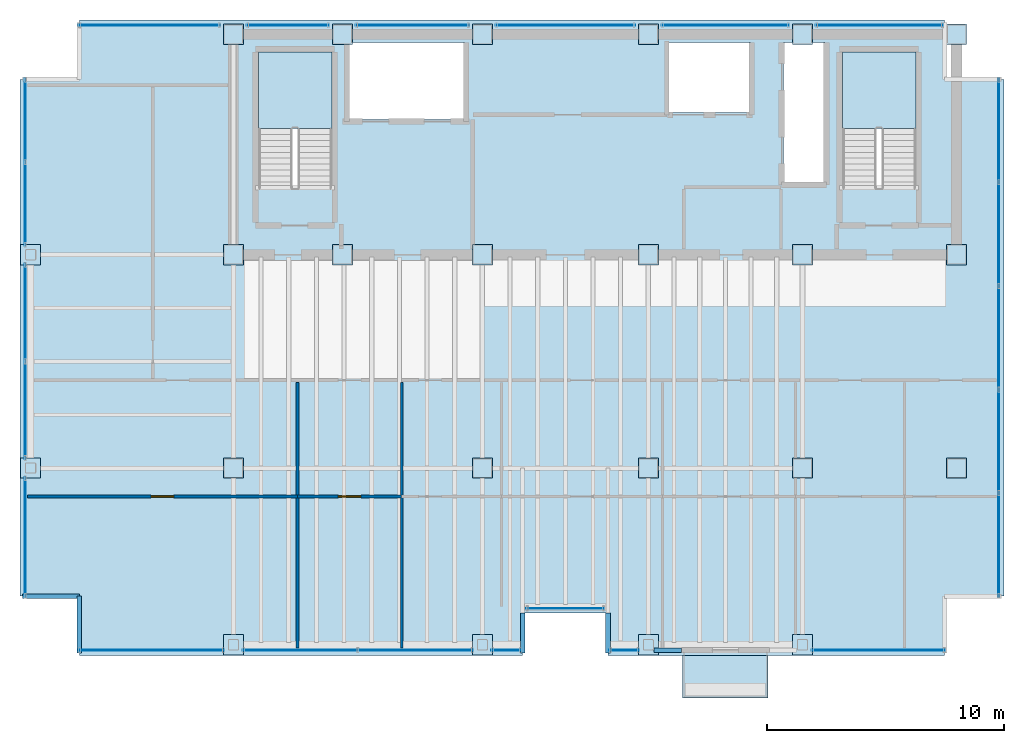
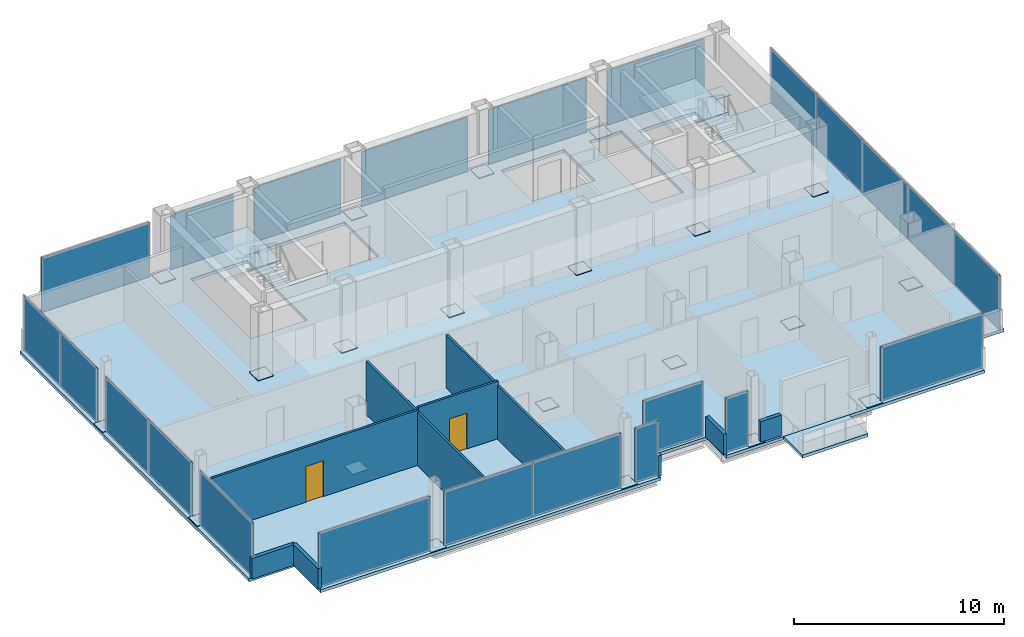
# One storey, part 13 of 17: 46 plates, 9 walls, 4 slabs, 2 doors, 7 openings, 18 elements without a shape of their own.
"""IFC4 building model written with IfcOpenShell, lengths in metres."""

from ifc_helpers import new_model, si_unit, direction, frame, frame_2d, origin, origin_2d, place, context, subcontext, project, spatial, polyline, rectangle, outline, extrude, material, layer, layer_set, type_object, element, fill, aggregate, save


model = new_model("IFC4")

# Units and contexts
model_context = context("Model", 3, precision=1e-05, world=origin(), true_north=direction((0.0, 1.0)))
body_context = subcontext(model_context, "Body", "Model", "MODEL_VIEW")
ifc_project = project(units=[si_unit("LENGTHUNIT", "METRE"), si_unit("AREAUNIT", "SQUARE_METRE"), si_unit("VOLUMEUNIT", "CUBIC_METRE"), si_unit("PLANEANGLEUNIT", "RADIAN"), si_unit("MASSUNIT", "GRAM", prefix="KILO")], contexts=[model_context])

# Site, building, storey
site_placement = place(None, origin())
site = spatial("IfcSite", under=ifc_project, at=site_placement, CompositionType="ELEMENT")
building_placement = place(site_placement, origin())
building = spatial("IfcBuilding", under=site, at=building_placement, Name="Noeulbin Bourse Tower", CompositionType="ELEMENT")
storey_placement = place(building_placement, frame((0.0, 0.0, 250.10009765625)))
storey = spatial("IfcBuildingStorey", under=building, at=storey_placement, Name="L62", CompositionType="ELEMENT", Elevation=250.10009765625)

# Curtain wall, plate
ifc_material_1 = material(Name="High-Selectivity Low-Iron Glazing", Category="glass")
curtain_wall_type = type_object("IfcCurtainWallType", Name="CW-SYS-4", PredefinedType="NOTDEFINED", material=ifc_material_1)
curtain_wall_1_placement = place(storey_placement, origin())
curtain_wall_1 = element("IfcCurtainWall", 1, at=curtain_wall_1_placement, inside=storey, type_object=curtain_wall_type, Name="Unitised Curtain Wall CW-L62-SREC", PredefinedType="NOTDEFINED")
ifc_layer_1 = layer(ifc_material_1, 0.035888671875)
ifc_layer_set_1 = layer_set([ifc_layer_1], Name="High-Selectivity Low-Iron Glazing")
plate_type_1 = type_object("IfcPlateType", Name="CW-SYS-4-PNL", PredefinedType="CURTAIN_PANEL", material=ifc_layer_set_1)
plate_1_placement = place(storey_placement, frame((27.5, 14.080078125, 0.0), z_axis=(0.0, 0.0, 1.0), x_axis=(1.0, 0.0, 0.0)))
plate_1 = element("IfcPlate", 2, at=plate_1_placement, type_object=plate_type_1, Name="Glazed Curtain Panel CW-L62-SREC-P00", PredefinedType="CURTAIN_PANEL", context=body_context, shape_type="SweptSolid", body=[
    extrude(rectangle(XDim=3.300048828125, YDim=0.035888671875, at=origin_2d()), origin(), (0.0, 0.0, 1.0), 3.179931640625),
])
aggregate(curtain_wall_1, [plate_1])

curtain_wall_2_placement = place(storey_placement, origin())
curtain_wall_2 = element("IfcCurtainWall", 3, at=curtain_wall_2_placement, inside=storey, type_object=curtain_wall_type, Name="Unitised Curtain Wall CW-L62-S1-S1", PredefinedType="NOTDEFINED")
plate_2_placement = place(storey_placement, frame((10.047607421875, 12.320068359375, 0.0), z_axis=(0.0, 0.0, 1.0), x_axis=(1.0, 0.0, 0.0)))
plate_2 = element("IfcPlate", 4, at=plate_2_placement, type_object=plate_type_1, Name="Glazed Curtain Panel CW-L62-S1-S1-P00", PredefinedType="CURTAIN_PANEL", context=body_context, shape_type="SweptSolid", body=[
    extrude(rectangle(XDim=6.135009765625, YDim=0.035888671875, at=origin_2d()), origin(), (0.0, 0.0, 1.0), 3.179931640625),
])
aggregate(curtain_wall_2, [plate_2])

# Curtain wall, plates
curtain_wall_3_placement = place(storey_placement, origin())
curtain_wall_3 = element("IfcCurtainWall", 5, at=curtain_wall_3_placement, inside=storey, type_object=curtain_wall_type, Name="Unitised Curtain Wall CW-L62-S1-S2", PredefinedType="NOTDEFINED")
plate_3_placement = place(storey_placement, frame((16.3173828125, 12.320068359375, 0.0), z_axis=(0.0, 0.0, 1.0), x_axis=(1.0, 0.0, 0.0)))
plate_3 = element("IfcPlate", 6, at=plate_3_placement, type_object=plate_type_1, Name="Glazed Curtain Panel CW-L62-S1-S2-P00", PredefinedType="CURTAIN_PANEL", context=body_context, shape_type="SweptSolid", body=[
    extrude(rectangle(XDim=4.864990234375, YDim=0.035888671875, at=origin_2d()), origin(), (0.0, 0.0, 1.0), 3.179931640625),
])
plate_4_placement = place(storey_placement, frame((21.1826171875, 12.320068359375, 0.0), z_axis=(0.0, 0.0, 1.0), x_axis=(1.0, 0.0, 0.0)))
plate_4 = element("IfcPlate", 7, at=plate_4_placement, type_object=plate_type_1, Name="Glazed Curtain Panel CW-L62-S1-S2-P01", PredefinedType="CURTAIN_PANEL", context=body_context, shape_type="SweptSolid", body=[
    extrude(rectangle(XDim=4.864990234375, YDim=0.035888671875, at=origin_2d()), origin(), (0.0, 0.0, 1.0), 3.179931640625),
])
aggregate(curtain_wall_3, [plate_3, plate_4])

# Curtain wall, plate
curtain_wall_4_placement = place(storey_placement, origin())
curtain_wall_4 = element("IfcCurtainWall", 8, at=curtain_wall_4_placement, inside=storey, type_object=curtain_wall_type, Name="Unitised Curtain Wall CW-L62-S1-S3", PredefinedType="NOTDEFINED")
plate_5_placement = place(storey_placement, frame((25.017578125, 12.320068359375, 0.0), z_axis=(0.0, 0.0, 1.0), x_axis=(1.0, 0.0, 0.0)))
plate_5 = element("IfcPlate", 9, at=plate_5_placement, type_object=plate_type_1, Name="Glazed Curtain Panel CW-L62-S1-S3-P00", PredefinedType="CURTAIN_PANEL", context=body_context, shape_type="SweptSolid", body=[
    extrude(rectangle(XDim=1.264892578125, YDim=0.035888671875, at=origin_2d()), origin(), (0.0, 0.0, 1.0), 3.179931640625),
])
aggregate(curtain_wall_4, [plate_5])

curtain_wall_5_placement = place(storey_placement, origin())
curtain_wall_5 = element("IfcCurtainWall", 10, at=curtain_wall_5_placement, inside=storey, type_object=curtain_wall_type, Name="Unitised Curtain Wall CW-L62-S2", PredefinedType="NOTDEFINED")
plate_6_placement = place(storey_placement, frame((29.982421875, 12.320068359375, 0.0), z_axis=(0.0, 0.0, 1.0), x_axis=(1.0, 0.0, 0.0)))
plate_6 = element("IfcPlate", 11, at=plate_6_placement, type_object=plate_type_1, Name="Glazed Curtain Panel CW-L62-S2-P00", PredefinedType="CURTAIN_PANEL", context=body_context, shape_type="SweptSolid", body=[
    extrude(rectangle(XDim=1.264892578125, YDim=0.035888671875, at=origin_2d()), origin(), (0.0, 0.0, 1.0), 3.179931640625),
])
aggregate(curtain_wall_5, [plate_6])

curtain_wall_6_placement = place(storey_placement, origin())
curtain_wall_6 = element("IfcCurtainWall", 12, at=curtain_wall_6_placement, inside=storey, type_object=curtain_wall_type, Name="Unitised Curtain Wall CW-L62-S3", PredefinedType="NOTDEFINED")
plate_7_placement = place(storey_placement, frame((40.702392578125, 12.320068359375, 0.0), z_axis=(0.0, 0.0, 1.0), x_axis=(1.0, 0.0, 0.0)))
plate_7 = element("IfcPlate", 13, at=plate_7_placement, type_object=plate_type_1, Name="Glazed Curtain Panel CW-L62-S3-P00", PredefinedType="CURTAIN_PANEL", context=body_context, shape_type="SweptSolid", body=[
    extrude(rectangle(XDim=5.635009765625, YDim=0.035888671875, at=origin_2d()), origin(), (0.0, 0.0, 1.0), 3.179931640625),
])
aggregate(curtain_wall_6, [plate_7])

curtain_wall_7_placement = place(storey_placement, origin())
curtain_wall_7 = element("IfcCurtainWall", 14, at=curtain_wall_7_placement, inside=storey, type_object=curtain_wall_type, Name="Unitised Curtain Wall CW-L62-N-S1", PredefinedType="NOTDEFINED")
plate_8_placement = place(storey_placement, frame((9.9599609375, 38.679931640625, 0.0), z_axis=(0.0, 0.0, 1.0), x_axis=(1.0, 0.0, 0.0)))
plate_8 = element("IfcPlate", 15, at=plate_8_placement, type_object=plate_type_1, Name="Glazed Curtain Panel CW-L62-N-S1-P00", PredefinedType="CURTAIN_PANEL", context=body_context, shape_type="SweptSolid", body=[
    extrude(rectangle(XDim=5.9599609375, YDim=0.035888671875, at=origin_2d()), origin(), (0.0, 0.0, 1.0), 3.179931640625),
])
aggregate(curtain_wall_7, [plate_8])

curtain_wall_8_placement = place(storey_placement, origin())
curtain_wall_8 = element("IfcCurtainWall", 16, at=curtain_wall_8_placement, inside=storey, type_object=curtain_wall_type, Name="Unitised Curtain Wall CW-L62-N-S2", PredefinedType="NOTDEFINED")
plate_9_placement = place(storey_placement, frame((15.800048828125, 38.679931640625, 0.0), z_axis=(0.0, 0.0, 1.0), x_axis=(1.0, 0.0, 0.0)))
plate_9 = element("IfcPlate", 17, at=plate_9_placement, type_object=plate_type_1, Name="Glazed Curtain Panel CW-L62-N-S2-P00", PredefinedType="CURTAIN_PANEL", context=body_context, shape_type="SweptSolid", body=[
    extrude(rectangle(XDim=3.47998046875, YDim=0.035888671875, at=origin_2d()), origin(), (0.0, 0.0, 1.0), 3.179931640625),
])
aggregate(curtain_wall_8, [plate_9])

curtain_wall_9_placement = place(storey_placement, origin())
curtain_wall_9 = element("IfcCurtainWall", 18, at=curtain_wall_9_placement, inside=storey, type_object=curtain_wall_type, Name="Unitised Curtain Wall CW-L62-N-S3", PredefinedType="NOTDEFINED")
plate_10_placement = place(storey_placement, frame((21.050048828125, 38.679931640625, 0.0), z_axis=(0.0, 0.0, 1.0), x_axis=(1.0, 0.0, 0.0)))
plate_10 = element("IfcPlate", 19, at=plate_10_placement, type_object=plate_type_1, Name="Glazed Curtain Panel CW-L62-N-S3-P00", PredefinedType="CURTAIN_PANEL", context=body_context, shape_type="SweptSolid", body=[
    extrude(rectangle(XDim=4.780029296875, YDim=0.035888671875, at=origin_2d()), origin(), (0.0, 0.0, 1.0), 3.179931640625),
])
aggregate(curtain_wall_9, [plate_10])

curtain_wall_10_placement = place(storey_placement, origin())
curtain_wall_10 = element("IfcCurtainWall", 20, at=curtain_wall_10_placement, inside=storey, type_object=curtain_wall_type, Name="Unitised Curtain Wall CW-L62-N-S4", PredefinedType="NOTDEFINED")
plate_11_placement = place(storey_placement, frame((27.5, 38.679931640625, 0.0), z_axis=(0.0, 0.0, 1.0), x_axis=(1.0, 0.0, 0.0)))
plate_11 = element("IfcPlate", 21, at=plate_11_placement, type_object=plate_type_1, Name="Glazed Curtain Panel CW-L62-N-S4-P00", PredefinedType="CURTAIN_PANEL", context=body_context, shape_type="SweptSolid", body=[
    extrude(rectangle(XDim=5.8798828125, YDim=0.035888671875, at=origin_2d()), origin(), (0.0, 0.0, 1.0), 3.179931640625),
])
aggregate(curtain_wall_10, [plate_11])

curtain_wall_11_placement = place(storey_placement, origin())
curtain_wall_11 = element("IfcCurtainWall", 22, at=curtain_wall_11_placement, inside=storey, type_object=curtain_wall_type, Name="Unitised Curtain Wall CW-L62-N-S5", PredefinedType="NOTDEFINED")
plate_12_placement = place(storey_placement, frame((34.25, 38.679931640625, 0.0), z_axis=(0.0, 0.0, 1.0), x_axis=(1.0, 0.0, 0.0)))
plate_12 = element("IfcPlate", 23, at=plate_12_placement, type_object=plate_type_1, Name="Glazed Curtain Panel CW-L62-N-S5-P00", PredefinedType="CURTAIN_PANEL", context=body_context, shape_type="SweptSolid", body=[
    extrude(rectangle(XDim=5.3798828125, YDim=0.035888671875, at=origin_2d()), origin(), (0.0, 0.0, 1.0), 3.179931640625),
])
aggregate(curtain_wall_11, [plate_12])

curtain_wall_12_placement = place(storey_placement, origin())
curtain_wall_12 = element("IfcCurtainWall", 24, at=curtain_wall_12_placement, inside=storey, type_object=curtain_wall_type, Name="Unitised Curtain Wall CW-L62-N-S6", PredefinedType="NOTDEFINED")
plate_13_placement = place(storey_placement, frame((40.75, 38.679931640625, 0.0), z_axis=(0.0, 0.0, 1.0), x_axis=(1.0, 0.0, 0.0)))
plate_13 = element("IfcPlate", 25, at=plate_13_placement, type_object=plate_type_1, Name="Glazed Curtain Panel CW-L62-N-S6-P00", PredefinedType="CURTAIN_PANEL", context=body_context, shape_type="SweptSolid", body=[
    extrude(rectangle(XDim=5.3798828125, YDim=0.035888671875, at=origin_2d()), origin(), (0.0, 0.0, 1.0), 3.179931640625),
])
aggregate(curtain_wall_12, [plate_13])

curtain_wall_13_placement = place(storey_placement, origin())
curtain_wall_13 = element("IfcCurtainWall", 26, at=curtain_wall_13_placement, inside=storey, type_object=curtain_wall_type, Name="Unitised Curtain Wall CW-L62-W-S1", PredefinedType="NOTDEFINED")
plate_14_placement = place(storey_placement, frame((4.719970703125, 17.097412109375, 0.0), z_axis=(0.0, 0.0, 1.0), x_axis=(0.0, 1.0, 0.0)))
plate_14 = element("IfcPlate", 27, at=plate_14_placement, type_object=plate_type_1, Name="Glazed Curtain Panel CW-L62-W-S1-P00", PredefinedType="CURTAIN_PANEL", context=body_context, shape_type="SweptSolid", body=[
    extrude(rectangle(XDim=5.034912109375, YDim=0.035888671875, at=origin_2d()), origin(), (0.0, 0.0, 1.0), 3.179931640625),
])
aggregate(curtain_wall_13, [plate_14])

# Curtain wall, plates
curtain_wall_14_placement = place(storey_placement, origin())
curtain_wall_14 = element("IfcCurtainWall", 28, at=curtain_wall_14_placement, inside=storey, type_object=curtain_wall_type, Name="Unitised Curtain Wall CW-L62-W-S2", PredefinedType="NOTDEFINED")
plate_15_placement = place(storey_placement, frame((4.719970703125, 22.4423828125, 0.0), z_axis=(0.0, 0.0, 1.0), x_axis=(0.0, 1.0, 0.0)))
plate_15 = element("IfcPlate", 29, at=plate_15_placement, type_object=plate_type_1, Name="Glazed Curtain Panel CW-L62-W-S2-P00", PredefinedType="CURTAIN_PANEL", context=body_context, shape_type="SweptSolid", body=[
    extrude(rectangle(XDim=4.114990234375, YDim=0.035888671875, at=origin_2d()), origin(), (0.0, 0.0, 1.0), 3.179931640625),
])
plate_16_placement = place(storey_placement, frame((4.719970703125, 26.5576171875, 0.0), z_axis=(0.0, 0.0, 1.0), x_axis=(0.0, 1.0, 0.0)))
plate_16 = element("IfcPlate", 30, at=plate_16_placement, type_object=plate_type_1, Name="Glazed Curtain Panel CW-L62-W-S2-P01", PredefinedType="CURTAIN_PANEL", context=body_context, shape_type="SweptSolid", body=[
    extrude(rectangle(XDim=4.114990234375, YDim=0.035888671875, at=origin_2d()), origin(), (0.0, 0.0, 1.0), 3.179931640625),
])
aggregate(curtain_wall_14, [plate_15, plate_16])

curtain_wall_15_placement = place(storey_placement, origin())
curtain_wall_15 = element("IfcCurtainWall", 31, at=curtain_wall_15_placement, inside=storey, type_object=curtain_wall_type, Name="Unitised Curtain Wall CW-L62-W-S3", PredefinedType="NOTDEFINED")
plate_17_placement = place(storey_placement, frame((4.719970703125, 31.143798828125, 0.0), z_axis=(0.0, 0.0, 1.0), x_axis=(0.0, 1.0, 0.0)))
plate_17 = element("IfcPlate", 32, at=plate_17_placement, type_object=plate_type_1, Name="Glazed Curtain Panel CW-L62-W-S3-P00", PredefinedType="CURTAIN_PANEL", context=body_context, shape_type="SweptSolid", body=[
    extrude(rectangle(XDim=3.517578125, YDim=0.035888671875, at=origin_2d()), origin(), (0.0, 0.0, 1.0), 3.179931640625),
])
plate_18_placement = place(storey_placement, frame((4.719970703125, 34.661376953125, 0.0), z_axis=(0.0, 0.0, 1.0), x_axis=(0.0, 1.0, 0.0)))
plate_18 = element("IfcPlate", 33, at=plate_18_placement, type_object=plate_type_1, Name="Glazed Curtain Panel CW-L62-W-S3-P01", PredefinedType="CURTAIN_PANEL", context=body_context, shape_type="SweptSolid", body=[
    extrude(rectangle(XDim=3.517578125, YDim=0.035888671875, at=origin_2d()), origin(), (0.0, 0.0, 1.0), 3.179931640625),
])
aggregate(curtain_wall_15, [plate_17, plate_18])

curtain_wall_16_placement = place(storey_placement, origin())
curtain_wall_16 = element("IfcCurtainWall", 34, at=curtain_wall_16_placement, inside=storey, type_object=curtain_wall_type, Name="Unitised Curtain Wall CW-L62-E", PredefinedType="NOTDEFINED")
plate_19_placement = place(storey_placement, frame((45.780029296875, 16.763916015625, 0.0), z_axis=(0.0, 0.0, 1.0), x_axis=(0.0, 1.0, 0.0)))
plate_19 = element("IfcPlate", 35, at=plate_19_placement, type_object=plate_type_1, Name="Glazed Curtain Panel CW-L62-E-P00", PredefinedType="CURTAIN_PANEL", context=body_context, shape_type="SweptSolid", body=[
    extrude(rectangle(XDim=4.367919921875, YDim=0.035888671875, at=origin_2d()), origin(), (0.0, 0.0, 1.0), 3.179931640625),
])
plate_20_placement = place(storey_placement, frame((45.780029296875, 21.132080078125, 0.0), z_axis=(0.0, 0.0, 1.0), x_axis=(0.0, 1.0, 0.0)))
plate_20 = element("IfcPlate", 36, at=plate_20_placement, type_object=plate_type_1, Name="Glazed Curtain Panel CW-L62-E-P01", PredefinedType="CURTAIN_PANEL", context=body_context, shape_type="SweptSolid", body=[
    extrude(rectangle(XDim=4.367919921875, YDim=0.035888671875, at=origin_2d()), origin(), (0.0, 0.0, 1.0), 3.179931640625),
])
plate_21_placement = place(storey_placement, frame((45.780029296875, 25.5, 0.0), z_axis=(0.0, 0.0, 1.0), x_axis=(0.0, 1.0, 0.0)))
plate_21 = element("IfcPlate", 37, at=plate_21_placement, type_object=plate_type_1, Name="Glazed Curtain Panel CW-L62-E-P02", PredefinedType="CURTAIN_PANEL", context=body_context, shape_type="SweptSolid", body=[
    extrude(rectangle(XDim=4.367919921875, YDim=0.035888671875, at=origin_2d()), origin(), (0.0, 0.0, 1.0), 3.179931640625),
])
plate_22_placement = place(storey_placement, frame((45.780029296875, 29.867919921875, 0.0), z_axis=(0.0, 0.0, 1.0), x_axis=(0.0, 1.0, 0.0)))
plate_22 = element("IfcPlate", 38, at=plate_22_placement, type_object=plate_type_1, Name="Glazed Curtain Panel CW-L62-E-P03", PredefinedType="CURTAIN_PANEL", context=body_context, shape_type="SweptSolid", body=[
    extrude(rectangle(XDim=4.367919921875, YDim=0.035888671875, at=origin_2d()), origin(), (0.0, 0.0, 1.0), 3.179931640625),
])
plate_23_placement = place(storey_placement, frame((45.780029296875, 34.236083984375, 0.0), z_axis=(0.0, 0.0, 1.0), x_axis=(0.0, 1.0, 0.0)))
plate_23 = element("IfcPlate", 39, at=plate_23_placement, type_object=plate_type_1, Name="Glazed Curtain Panel CW-L62-E-P04", PredefinedType="CURTAIN_PANEL", context=body_context, shape_type="SweptSolid", body=[
    extrude(rectangle(XDim=4.367919921875, YDim=0.035888671875, at=origin_2d()), origin(), (0.0, 0.0, 1.0), 3.179931640625),
])
aggregate(curtain_wall_16, [plate_19, plate_20, plate_21, plate_22, plate_23])

# Plates
ifc_material_2 = material(Name="Steel S355", Category="steel")
ifc_layer_2 = layer(ifc_material_2, 0.030029296875)
ifc_layer_set_2 = layer_set([ifc_layer_2], Name="Steel S355")
plate_type_2 = type_object("IfcPlateType", Name="PLT-BN1", PredefinedType="USERDEFINED", material=ifc_layer_set_2)
for number, where, z_axis, x_axis, name in (
    (40, (13.5, 29.0, 0.0048828125), (0.0, 0.0, 1.0), (1.0, 0.0, 0.0), "Mega-Column Splice Plate BN1-L62-01"),
    (41, (13.5, 38.300048828125, 0.0048828125), (0.0, 0.0, 1.0), (1.0, 0.0, 0.0), "Mega-Column Splice Plate BN1-L62-02"),
    (42, (18.10009765625, 29.0, 0.0048828125), (0.0, 0.0, 1.0), (1.0, 0.0, 0.0), "Mega-Column Splice Plate BN1-L62-03"),
    (43, (18.10009765625, 38.300048828125, 0.0048828125), (0.0, 0.0, 1.0), (1.0, 0.0, 0.0), "Mega-Column Splice Plate BN1-L62-04"),
    (44, (24.0, 29.0, 0.0048828125), (0.0, 0.0, 1.0), (1.0, 0.0, 0.0), "Mega-Column Splice Plate BN1-L62-05"),
    (45, (24.0, 38.300048828125, 0.0048828125), (0.0, 0.0, 1.0), (1.0, 0.0, 0.0), "Mega-Column Splice Plate BN1-L62-06"),
    (46, (31.0, 29.0, 0.0048828125), (0.0, 0.0, 1.0), (1.0, 0.0, 0.0), "Mega-Column Splice Plate BN1-L62-07"),
    (47, (31.0, 38.300048828125, 0.0048828125), (0.0, 0.0, 1.0), (1.0, 0.0, 0.0), "Mega-Column Splice Plate BN1-L62-08"),
    (48, (37.5, 29.0, 0.0048828125), (0.0, 0.0, 1.0), (1.0, 0.0, 0.0), "Mega-Column Splice Plate BN1-L62-09"),
    (49, (37.5, 38.300048828125, 0.0048828125), (0.0, 0.0, 1.0), (1.0, 0.0, 0.0), "Mega-Column Splice Plate BN1-L62-10"),
    (50, (44.0, 29.0, 0.0048828125), (0.0, 0.0, 1.0), (1.0, 0.0, 0.0), "Mega-Column Splice Plate BN1-L62-11"),
    (51, (44.0, 38.300048828125, 0.0048828125), (0.0, 0.0, 1.0), (1.0, 0.0, 0.0), "Mega-Column Splice Plate BN1-L62-12"),
    (52, (13.5, 20.0, 0.0048828125), (0.0, 0.0, 1.0), (1.0, 0.0, 0.0), "Mega-Column Splice Plate BN1-L62-13"),
    (53, (24.0, 20.0, 0.0048828125), (0.0, 0.0, 1.0), (1.0, 0.0, 0.0), "Mega-Column Splice Plate BN1-L62-14"),
    (54, (31.0, 20.0, 0.0048828125), (0.0, 0.0, 1.0), (1.0, 0.0, 0.0), "Mega-Column Splice Plate BN1-L62-15"),
    (55, (37.5, 20.0, 0.0048828125), (0.0, 0.0, 1.0), (1.0, 0.0, 0.0), "Mega-Column Splice Plate BN1-L62-16"),
    (56, (44.0, 20.0, 0.0048828125), (0.0, 0.0, 1.0), (1.0, 0.0, 0.0), "Mega-Column Splice Plate BN1-L62-17"),
    (57, (4.949951171875, 20.0, 0.0048828125), (0.0, 0.0, 1.0), (1.0, 0.0, 0.0), "Perimeter Column Splice Plate BN1-L62-01"),
    (58, (4.949951171875, 29.0, 0.0048828125), (0.0, 0.0, 1.0), (1.0, 0.0, 0.0), "Perimeter Column Splice Plate BN1-L62-02"),
    (59, (13.5, 12.550048828125, 0.0048828125), (0.0, 0.0, 1.0), (1.0, 0.0, 0.0), "Perimeter Column Splice Plate BN1-L62-03"),
    (60, (24.0, 12.550048828125, 0.0048828125), (0.0, 0.0, 1.0), (1.0, 0.0, 0.0), "Perimeter Column Splice Plate BN1-L62-04"),
    (61, (31.0, 12.550048828125, 0.0048828125), (0.0, 0.0, 1.0), (1.0, 0.0, 0.0), "Perimeter Column Splice Plate BN1-L62-05"),
    (62, (37.5, 12.550048828125, 0.0048828125), (0.0, 0.0, 1.0), (1.0, 0.0, 0.0), "Perimeter Column Splice Plate BN1-L62-06"),
):
    element("IfcPlate", number, at=place(storey_placement, frame(where, z_axis=z_axis, x_axis=x_axis)), inside=storey, type_object=plate_type_2, Name=name, ObjectType="SPLICE PLATE", PredefinedType="USERDEFINED", context=body_context, shape_type="SweptSolid", body=[
        extrude(rectangle(XDim=0.85009765625, YDim=0.85009765625, at=origin_2d()), origin(), (0.0, 0.0, 1.0), 0.030029296875),
    ])

# Stair, slab
ifc_material_3 = material(Name="Concrete C40/50", Category="concrete")
stair_type = type_object("IfcStairType", Name="STR-CORE-1560", PredefinedType="HALF_TURN_STAIR", material=ifc_material_3)
stair_1_placement = place(storey_placement, origin())
stair_1 = element("IfcStair", 63, at=stair_1_placement, inside=storey, type_object=stair_type, Name="L62 ST-1", PredefinedType="HALF_TURN_STAIR")
ifc_layer_3 = layer(ifc_material_3, 0.199951171875)
ifc_layer_set_3 = layer_set([ifc_layer_3], Name="Concrete C40/50")
slab_type_1 = type_object("IfcSlabType", Name="SLB-LND-200", PredefinedType="LANDING", material=ifc_layer_set_3)
slab_1_placement = place(storey_placement, frame((0.0, 0.0, 1.75)))
slab_1 = element("IfcSlab", 64, at=slab_1_placement, type_object=slab_type_1, Name="ST-1 landing 1", PredefinedType="LANDING", context=body_context, shape_type="SweptSolid", body=[
    extrude(outline(polyline([(17.64990234375, 34.330078125), (17.64990234375, 37.5439453125), (14.550048828125, 37.5439453125), (14.550048828125, 34.330078125), (17.64990234375, 34.330078125)])), origin(), (0.0, 0.0, 1.0), 0.199951171875),
])
aggregate(stair_1, [slab_1])

stair_2_placement = place(storey_placement, origin())
stair_2 = element("IfcStair", 65, at=stair_2_placement, inside=storey, type_object=stair_type, Name="L62 ST-2", PredefinedType="HALF_TURN_STAIR")
slab_2_placement = place(storey_placement, frame((0.0, 0.0, 1.75)))
slab_2 = element("IfcSlab", 66, at=slab_2_placement, type_object=slab_type_1, Name="ST-2 landing 1", PredefinedType="LANDING", context=body_context, shape_type="SweptSolid", body=[
    extrude(outline(polyline([(42.280029296875, 34.330078125), (42.280029296875, 37.5439453125), (39.179931640625, 37.5439453125), (39.179931640625, 34.330078125), (42.280029296875, 34.330078125)])), origin(), (0.0, 0.0, 1.0), 0.199951171875),
])
aggregate(stair_2, [slab_2])

# Slab, openings
ifc_layer_4 = layer(ifc_material_3, 0.179931640625)
ifc_layer_set_4 = layer_set([ifc_layer_4], Name="Concrete C40/50")
slab_type_2 = type_object("IfcSlabType", Name="SLB-TYP-180", PredefinedType="FLOOR", material=ifc_layer_set_4)
slab_3_placement = place(storey_placement, frame((0.0, 0.0, -0.18017578125)))
slab_3 = element("IfcSlab", 67, at=slab_3_placement, inside=storey, type_object=slab_type_2, Name="Tower Structural Floor Slab L62", PredefinedType="FLOOR", context=body_context, shape_type="SweptSolid", body=[
    extrude(outline(polyline([(7.0, 12.10009765625), (25.699951171875, 12.10009765625), (25.699951171875, 13.89990234375), (29.300048828125, 13.89990234375), (29.300048828125, 12.10009765625), (43.5, 12.10009765625), (43.5, 14.60009765625), (46.0, 14.60009765625), (46.0, 36.39990234375), (43.5, 36.39990234375), (43.5, 38.89990234375), (7.0, 38.89990234375), (7.0, 36.39990234375), (4.5, 36.39990234375), (4.5, 14.60009765625), (7.0, 14.60009765625), (7.0, 12.10009765625)]), holes=[polyline([(17.64990234375, 31.81005859375), (17.64990234375, 37.5439453125), (14.550048828125, 37.5439453125), (14.550048828125, 31.81005859375), (17.64990234375, 31.81005859375)]), polyline([(42.280029296875, 31.81005859375), (42.280029296875, 37.5439453125), (39.179931640625, 37.5439453125), (39.179931640625, 31.81005859375), (42.280029296875, 31.81005859375)]), polyline([(18.35009765625, 34.699951171875), (23.25, 34.699951171875), (23.25, 37.949951171875), (18.35009765625, 37.949951171875), (18.35009765625, 34.699951171875)]), polyline([(36.699951171875, 32.050048828125), (38.449951171875, 32.050048828125), (38.449951171875, 37.949951171875), (36.699951171875, 37.949951171875), (36.699951171875, 32.050048828125)]), polyline([(31.85009765625, 35.0), (35.300048828125, 35.0), (35.300048828125, 37.949951171875), (31.85009765625, 37.949951171875), (31.85009765625, 35.0)])]), origin(), (0.0, 0.0, 1.0), 0.18017578125),
])
opening_1_placement = place(slab_3_placement, frame((0.0, 0.0, -0.010009765625)))
element("IfcOpeningElement", 68, at=opening_1_placement, cuts=slab_3, Name="Slab Shaft Opening SLB-L62-TWR-1", PredefinedType="OPENING", context=body_context, shape_type="SweptSolid", body=[
    extrude(outline(polyline([(17.64990234375, 31.81005859375), (17.64990234375, 37.5439453125), (14.550048828125, 37.5439453125), (14.550048828125, 31.81005859375), (17.64990234375, 31.81005859375)])), origin(), (0.0, 0.0, 1.0), 0.2001953125),
])
opening_2_placement = place(slab_3_placement, frame((0.0, 0.0, -0.010009765625)))
element("IfcOpeningElement", 69, at=opening_2_placement, cuts=slab_3, Name="Slab Shaft Opening SLB-L62-TWR-2", PredefinedType="OPENING", context=body_context, shape_type="SweptSolid", body=[
    extrude(outline(polyline([(42.280029296875, 31.81005859375), (42.280029296875, 37.5439453125), (39.179931640625, 37.5439453125), (39.179931640625, 31.81005859375), (42.280029296875, 31.81005859375)])), origin(), (0.0, 0.0, 1.0), 0.2001953125),
])
opening_3_placement = place(slab_3_placement, frame((0.0, 0.0, -0.010009765625)))
element("IfcOpeningElement", 70, at=opening_3_placement, cuts=slab_3, Name="Slab Shaft Opening SLB-L62-TWR-3", PredefinedType="OPENING", context=body_context, shape_type="SweptSolid", body=[
    extrude(outline(polyline([(18.35009765625, 34.699951171875), (23.25, 34.699951171875), (23.25, 37.949951171875), (18.35009765625, 37.949951171875), (18.35009765625, 34.699951171875)])), origin(), (0.0, 0.0, 1.0), 0.2001953125),
])
opening_4_placement = place(slab_3_placement, frame((0.0, 0.0, -0.010009765625)))
element("IfcOpeningElement", 71, at=opening_4_placement, cuts=slab_3, Name="Slab Shaft Opening SLB-L62-TWR-4", PredefinedType="OPENING", context=body_context, shape_type="SweptSolid", body=[
    extrude(outline(polyline([(36.699951171875, 32.050048828125), (38.449951171875, 32.050048828125), (38.449951171875, 37.949951171875), (36.699951171875, 37.949951171875), (36.699951171875, 32.050048828125)])), origin(), (0.0, 0.0, 1.0), 0.2001953125),
])
opening_5_placement = place(slab_3_placement, frame((0.0, 0.0, -0.010009765625)))
element("IfcOpeningElement", 72, at=opening_5_placement, cuts=slab_3, Name="Slab Shaft Opening SLB-L62-TWR-5", PredefinedType="OPENING", context=body_context, shape_type="SweptSolid", body=[
    extrude(outline(polyline([(31.85009765625, 35.0), (35.300048828125, 35.0), (35.300048828125, 37.949951171875), (31.85009765625, 37.949951171875), (31.85009765625, 35.0)])), origin(), (0.0, 0.0, 1.0), 0.2001953125),
])

# Slab
slab_4_placement = place(storey_placement, frame((0.0, 0.0, -0.18017578125)))
element("IfcSlab", 73, at=slab_4_placement, inside=storey, type_object=slab_type_2, Name="Cantilevered Tree-Balcony Slab L62", PredefinedType="FLOOR", context=body_context, shape_type="SweptSolid", body=[
    extrude(outline(polyline([(32.449951171875, 10.300048828125), (36.050048828125, 10.300048828125), (36.050048828125, 12.10009765625), (32.449951171875, 12.10009765625), (32.449951171875, 10.300048828125)])), origin(), (0.0, 0.0, 1.0), 0.18017578125),
])

# Walls
ifc_layer_5 = layer(ifc_material_3, 0.199951171875)
ifc_layer_set_5 = layer_set([ifc_layer_5], Name="Concrete C40/50")
wall_type_1 = type_object("IfcWallType", Name="WAL-PAR-200", PredefinedType="PARAPET", material=ifc_layer_set_5)
wall_1_placement = place(storey_placement, frame((31.2451171875, 12.320068359375, 0.0), z_axis=(0.0, 0.0, 1.0), x_axis=(1.0, 0.0, 0.0)))
element("IfcWall", 74, at=wall_1_placement, inside=storey, type_object=wall_type_1, Name="Perimeter Pier Spandrel Parapet L62-S1", PredefinedType="PARAPET", context=body_context, shape_type="SweptSolid", body=[
    extrude(rectangle(XDim=1.15478515625, YDim=0.199951171875, at=frame_2d((0.577392578125, 0.0))), origin(), (0.0, 0.0, 1.0), 1.199951171875),
])
wall_2_placement = place(storey_placement, frame((4.60009765625, 14.60009765625, 0.0), z_axis=(0.0, 0.0, 1.0), x_axis=(1.0, 0.0, 0.0)))
element("IfcWall", 75, at=wall_2_placement, inside=storey, type_object=wall_type_1, Name="Corner Notch Parapet L62-SW1", PredefinedType="PARAPET", context=body_context, shape_type="SweptSolid", body=[
    extrude(rectangle(XDim=2.39990234375, YDim=0.199951171875, at=frame_2d((1.199951171875, 0.0))), origin(), (0.0, 0.0, 1.0), 1.199951171875),
])
wall_3_placement = place(storey_placement, frame((7.0, 14.60009765625, 0.0), z_axis=(0.0, 0.0, 1.0), x_axis=(0.0, -1.0, 0.0)))
element("IfcWall", 76, at=wall_3_placement, inside=storey, type_object=wall_type_1, Name="Corner Notch Parapet L62-SW2", PredefinedType="PARAPET", context=body_context, shape_type="SweptSolid", body=[
    extrude(rectangle(XDim=2.400146484375, YDim=0.199951171875, at=frame_2d((1.2001953125, 0.0))), origin(), (0.0, 0.0, 1.0), 1.199951171875),
])
for number, where, z_axis, x_axis, name in (
    (77, (25.699951171875, 12.199951171875, 0.0), (0.0, 0.0, 1.0), (0.0, 1.0, 0.0), "Sky-Garden Recess Parapet L62-W"),
    (78, (29.300048828125, 13.89990234375, 0.0), (0.0, 0.0, 1.0), (0.0, -1.0, 0.0), "Sky-Garden Recess Parapet L62-E"),
):
    element("IfcWall", number, at=place(storey_placement, frame(where, z_axis=z_axis, x_axis=x_axis)), inside=storey, type_object=wall_type_1, Name=name, PredefinedType="PARAPET", context=body_context, shape_type="SweptSolid", body=[
        extrude(rectangle(XDim=1.699951171875, YDim=0.199951171875, at=frame_2d((0.85009765625, 0.0))), origin(), (0.0, 0.0, 1.0), 1.199951171875),
    ])

# Wall, opening, door
ifc_material_4 = material(Name="Steel Stud Gypsum Partition", Category="steel")
ifc_layer_6 = layer(ifc_material_4, 0.1201171875)
ifc_layer_set_6 = layer_set([ifc_layer_6], Name="Steel Stud Gypsum Partition")
wall_type_2 = type_object("IfcWallType", Name="WAL-PRT-120", PredefinedType="PARTITIONING", material=ifc_layer_set_6)
wall_4_placement = place(storey_placement, frame((4.81005859375, 18.800048828125, 0.0), z_axis=(0.0, 0.0, 1.0), x_axis=(1.0, 0.0, 0.0)))
wall_4 = element("IfcWall", 79, at=wall_4_placement, inside=storey, type_object=wall_type_2, Name="Interior Partition Wall L62-06", PredefinedType="PARTITIONING", context=body_context, shape_type="SweptSolid", body=[
    extrude(rectangle(XDim=11.389892578125, YDim=0.1201171875, at=frame_2d((5.69482421875, 0.0))), origin(), (0.0, 0.0, 1.0), 3.199951171875),
])
opening_6_placement = place(wall_4_placement, frame((5.219970703125, 0.0, 0.0)))
opening_6 = element("IfcOpeningElement", 80, at=opening_6_placement, cuts=wall_4, Name="Opening ID-09", PredefinedType="OPENING", context=body_context, shape_type="SweptSolid", body=[
    extrude(rectangle(XDim=0.949951171875, YDim=2.080078125, at=frame_2d((0.47509765625, 1.0400390625))), frame((0.0, 0.070068359375, 0.0), z_axis=(0.0, -1.0, 0.0), x_axis=(1.0, 0.0, 0.0)), (0.0, 0.0, 1.0), 0.14013671875),
])
ifc_material_5 = material(Name="Acoustic Solid-Core Timber", Category="wood")
door_type = type_object("IfcDoorType", Name="DR-SINGLE-950", OperationType="SINGLE_SWING_LEFT", PredefinedType="DOOR", material=ifc_material_5)
door_1_placement = place(opening_6_placement, origin())
door_1 = element("IfcDoor", 81, at=door_1_placement, inside=storey, type_object=door_type, Name="Interior Door L62-07", OperationType="SINGLE_SWING_LEFT", OverallHeight=2.080078125, OverallWidth=0.949951171875, PredefinedType="DOOR", context=body_context, shape_type="SweptSolid", body=[
    extrude(rectangle(XDim=0.949951171875, YDim=2.080078125, at=frame_2d((0.47509765625, 1.0400390625))), frame((0.0, 0.02490234375, 0.0), z_axis=(0.0, -1.0, 0.0), x_axis=(1.0, 0.0, 0.0)), (0.0, 0.0, 1.0), 0.050048828125),
])
fill(opening_6, door_1)

wall_5_placement = place(storey_placement, frame((16.199951171875, 18.800048828125, 0.0), z_axis=(0.0, 0.0, 1.0), x_axis=(1.0, 0.0, 0.0)))
wall_5 = element("IfcWall", 82, at=wall_5_placement, inside=storey, type_object=wall_type_2, Name="Interior Partition Wall L62-07", PredefinedType="PARTITIONING", context=body_context, shape_type="SweptSolid", body=[
    extrude(rectangle(XDim=4.400146484375, YDim=0.1201171875, at=frame_2d((2.2001953125, 0.0))), origin(), (0.0, 0.0, 1.0), 3.349853515625),
])
opening_7_placement = place(wall_5_placement, frame((1.72509765625, 0.0, 0.0)))
opening_7 = element("IfcOpeningElement", 83, at=opening_7_placement, cuts=wall_5, Name="Opening ID-09", PredefinedType="OPENING", context=body_context, shape_type="SweptSolid", body=[
    extrude(rectangle(XDim=0.949951171875, YDim=2.080078125, at=frame_2d((0.47509765625, 1.0400390625))), frame((0.0, 0.070068359375, 0.0), z_axis=(0.0, -1.0, 0.0), x_axis=(1.0, 0.0, 0.0)), (0.0, 0.0, 1.0), 0.14013671875),
])
door_2_placement = place(opening_7_placement, origin())
door_2 = element("IfcDoor", 84, at=door_2_placement, inside=storey, type_object=door_type, Name="Interior Door L62-09", OperationType="SINGLE_SWING_LEFT", OverallHeight=2.080078125, OverallWidth=0.949951171875, PredefinedType="DOOR", context=body_context, shape_type="SweptSolid", body=[
    extrude(rectangle(XDim=0.949951171875, YDim=2.080078125, at=frame_2d((0.47509765625, 1.0400390625))), frame((0.0, 0.02490234375, 0.0), z_axis=(0.0, -1.0, 0.0), x_axis=(1.0, 0.0, 0.0)), (0.0, 0.0, 1.0), 0.050048828125),
])
fill(opening_7, door_2)

# Walls
for number, where, z_axis, x_axis, name in (
    (85, (16.199951171875, 12.409912109375, 0.0), (0.0, 0.0, 1.0), (0.0, 1.0, 0.0), "Interior Partition Wall L62-19"),
    (86, (20.60009765625, 12.409912109375, 0.0), (0.0, 0.0, 1.0), (0.0, 1.0, 0.0), "Interior Partition Wall L62-20"),
):
    element("IfcWall", number, at=place(storey_placement, frame(where, z_axis=z_axis, x_axis=x_axis)), inside=storey, type_object=wall_type_2, Name=name, PredefinedType="PARTITIONING", context=body_context, shape_type="SweptSolid", body=[
        extrude(rectangle(XDim=11.205078125, YDim=0.1201171875, at=frame_2d((5.6025390625, 0.0))), origin(), (0.0, 0.0, 1.0), 3.099853515625),
    ])

save(model, "model.ifc")
